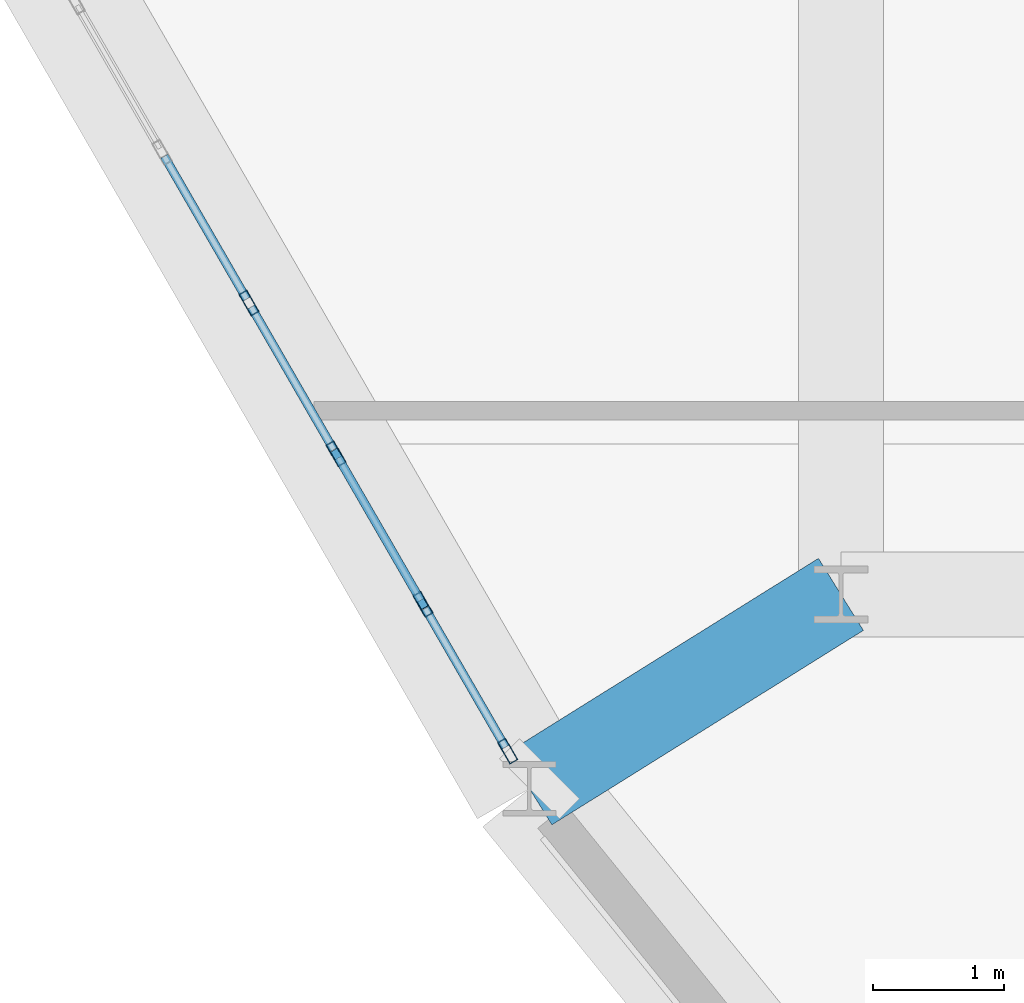
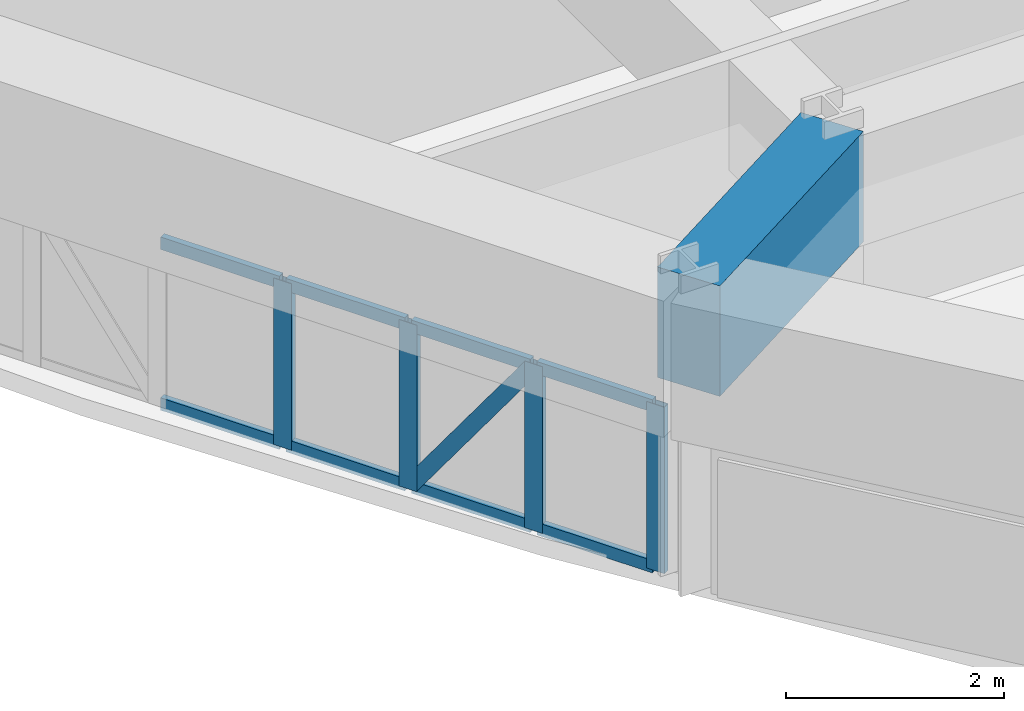
# One storey, part 2 of 14: 13 members, 1 beam, 1 element without a shape of its own.
"""IFC4 building model written with IfcOpenShell, lengths in metres."""

from ifc_helpers import new_model, si_unit, derived_unit, direction, frame, origin, origin_2d, place, context, subcontext, project, spatial, rectangle, hollow_rectangle, extrude, source, transform, mapped, material, layer, layer_set, material_profile, profile_set, type_object, element, aggregate, save


model = new_model("IFC4")

# Units and contexts
model_context = context("Model", 3, precision=1e-05, world=origin(), true_north=direction((0.0, 1.0)))
body_context = subcontext(model_context, "Body", "Model", "MODEL_VIEW")
ifc_project = project(units=[si_unit("LENGTHUNIT", "METRE"), si_unit("AREAUNIT", "SQUARE_METRE"), si_unit("VOLUMEUNIT", "CUBIC_METRE"), si_unit("PLANEANGLEUNIT", "RADIAN"), si_unit("MASSUNIT", "GRAM", prefix="KILO"), derived_unit("THERMALTRANSMITTANCEUNIT", [(si_unit("POWERUNIT", "WATT"), 1), (si_unit("LENGTHUNIT", "METRE"), -2), (si_unit("THERMODYNAMICTEMPERATUREUNIT", "KELVIN"), -1)])], contexts=[model_context])

# Site, building, storey
site_placement = place(None, origin())
site = spatial("IfcSite", under=ifc_project, at=site_placement, CompositionType="ELEMENT")
building_placement = place(site_placement, origin())
building = spatial("IfcBuilding", under=site, at=building_placement, Name="Korsvarv Bourse and Concert Hall", CompositionType="ELEMENT")
storey_placement = place(building_placement, frame((0.0, 0.0, 186.60009765625)))
storey = spatial("IfcBuildingStorey", under=building, at=storey_placement, Name="L48", CompositionType="ELEMENT", Elevation=186.60009765625)

# Beam
ifc_material_1 = material(Name="Concrete C50/60", Category="concrete")
ifc_material_profile_1 = material_profile(ifc_material_1, rectangle(XDim=0.64990234375, YDim=1.239990234375, at=origin_2d()), Name="RC-BM 650x1240")
ifc_profile_set_1 = profile_set([ifc_material_profile_1], Name="Concrete C50/60")
beam_type = type_object("IfcBeamType", Name="BM-TR-SPN", PredefinedType="BEAM", material=ifc_profile_set_1)
shared_shape_1 = source(origin(), body_context, "Body", "SweptSolid", [
    extrude(rectangle(XDim=0.64990234375, YDim=1.239990234375, at=origin_2d()), origin(), (0.0, 0.0, 1.0), 2.8095703125),
])
beam_placement = place(storey_placement, frame((25.216796875, 22.51220703125, 2.77978515625), z_axis=(0.848281328121, 0.529545832163, 0.0), x_axis=(-0.529545832163, 0.848281328121, 0.0)))
element("IfcBeam", 1, at=beam_placement, inside=storey, type_object=beam_type, Name="L48 beam B-TRS", PredefinedType="BEAM", context=body_context, shape_type="MappedRepresentation", body=[
    mapped(shared_shape_1, transform((0.0, 0.0, 0.0), scale=1.0)),
])

# Curtain wall, members
ifc_material_2 = material(Name="Anodised aluminium and triple low-E glazing", Category="glass")
ifc_layer = layer(ifc_material_2, 0.199951171875)
ifc_layer_set = layer_set([ifc_layer], Name="Anodised aluminium and triple low-E glazing")
curtain_wall_type = type_object("IfcCurtainWallType", Name="CW-SYS-3", PredefinedType="NOTDEFINED", material=ifc_layer_set)
curtain_wall_placement = place(storey_placement, origin())
curtain_wall = element("IfcCurtainWall", 2, at=curtain_wall_placement, inside=storey, type_object=curtain_wall_type, Name="L48 CW3 curtain wall CW-L48-F07", PredefinedType="NOTDEFINED")
ifc_material_3 = material(Name="Extruded aluminium EN AW-6063 T66", Category="aluminium")
ifc_material_profile_2 = material_profile(ifc_material_3, hollow_rectangle(XDim=0.070068359375, YDim=0.18994140625, WallThickness=0.0048828125, at=origin_2d()), Name="ALU-M 70x190")
ifc_profile_set_2 = profile_set([ifc_material_profile_2], Name="Extruded aluminium EN AW-6063 T66")
member_type_1 = type_object("IfcMemberType", Name="CWM-190", PredefinedType="MULLION", material=ifc_profile_set_2)
shared_shape_2 = source(origin(), body_context, "Body", "SweptSolid", [
    extrude(hollow_rectangle(XDim=0.070068359375, YDim=0.18994140625, WallThickness=0.0048828125, at=origin_2d()), origin(), (0.0, 0.0, 1.0), 1.869873046875),
])
member_1_placement = place(storey_placement, frame((23.07080078125, 26.229248046875, 0.0), z_axis=(0.0, 0.0, 1.0), x_axis=(0.866028825281, 0.499994073747, 0.0)))
member_1 = element("IfcMember", 3, at=member_1_placement, type_object=member_type_1, Name="CW3 mullion 7", PredefinedType="MULLION", context=body_context, shape_type="MappedRepresentation", body=[
    mapped(shared_shape_2, transform((0.0, 0.0, 0.0), scale=1.0)),
])
member_2_placement = place(storey_placement, frame((23.736572265625, 25.076171875, 0.0), z_axis=(0.0, 0.0, 1.0), x_axis=(0.866028825281, 0.499994073747, 0.0)))
member_2 = element("IfcMember", 4, at=member_2_placement, type_object=member_type_1, Name="CW3 mullion 8", PredefinedType="MULLION", context=body_context, shape_type="MappedRepresentation", body=[
    mapped(shared_shape_2, transform((0.0, 0.0, 0.0), scale=1.0)),
])
member_3_placement = place(storey_placement, frame((24.402099609375, 23.923095703125, 0.0), z_axis=(0.0, 0.0, 1.0), x_axis=(0.866028825281, 0.499994073747, 0.0)))
member_3 = element("IfcMember", 5, at=member_3_placement, type_object=member_type_1, Name="CW3 mullion 9", PredefinedType="MULLION", context=body_context, shape_type="MappedRepresentation", body=[
    mapped(shared_shape_2, transform((0.0, 0.0, 0.0), scale=1.0)),
])
member_4_placement = place(storey_placement, frame((25.05029296875, 22.80029296875, 0.0), z_axis=(0.0, 0.0, 1.0), x_axis=(0.866028825281, 0.499994073747, 0.0)))
member_4 = element("IfcMember", 6, at=member_4_placement, type_object=member_type_1, Name="CW3 mullion 10", PredefinedType="MULLION", context=body_context, shape_type="MappedRepresentation", body=[
    mapped(shared_shape_2, transform((0.0, 0.0, 0.0), scale=1.0)),
])
ifc_material_profile_3 = material_profile(ifc_material_3, hollow_rectangle(XDim=0.06494140625, YDim=0.139892578125, WallThickness=0.00390625, at=origin_2d()), Name="ALU-T 65x140")
ifc_profile_set_3 = profile_set([ifc_material_profile_3], Name="Extruded aluminium EN AW-6063 T66")
member_type_2 = type_object("IfcMemberType", Name="CWT-140", PredefinedType="USERDEFINED", material=ifc_profile_set_3)
shared_shape_3 = source(origin(), body_context, "Body", "SweptSolid", [
    extrude(hollow_rectangle(XDim=0.06494140625, YDim=0.139892578125, WallThickness=0.00390625, at=origin_2d()), origin(), (0.0, 0.0, 1.0), 1.261474609375),
])
member_5_placement = place(storey_placement, frame((22.422607421875, 27.35205078125, 0.032470703125), z_axis=(0.499906742921, -0.86607923909, 0.0), x_axis=(0.86607923909, 0.499906742921, 0.0)))
member_5 = element("IfcMember", 7, at=member_5_placement, type_object=member_type_2, Name="CW3 transom 6.1", ObjectType="TRANSOM", PredefinedType="USERDEFINED", context=body_context, shape_type="MappedRepresentation", body=[
    mapped(shared_shape_3, transform((0.0, 0.0, 0.0), scale=1.0)),
])
member_6_placement = place(storey_placement, frame((22.422607421875, 27.35205078125, 1.83740234375), z_axis=(0.499906742921, -0.86607923909, 0.0), x_axis=(0.86607923909, 0.499906742921, 0.0)))
member_6 = element("IfcMember", 8, at=member_6_placement, type_object=member_type_2, Name="CW3 transom 6.2", ObjectType="TRANSOM", PredefinedType="USERDEFINED", context=body_context, shape_type="MappedRepresentation", body=[
    mapped(shared_shape_3, transform((0.0, 0.0, 0.0), scale=1.0)),
])
member_7_placement = place(storey_placement, frame((23.08837890625, 26.198974609375, 0.032470703125), z_axis=(0.499906742921, -0.86607923909, 0.0), x_axis=(0.86607923909, 0.499906742921, 0.0)))
member_7 = element("IfcMember", 9, at=member_7_placement, type_object=member_type_2, Name="CW3 transom 7.1", ObjectType="TRANSOM", PredefinedType="USERDEFINED", context=body_context, shape_type="MappedRepresentation", body=[
    mapped(shared_shape_3, transform((0.0, 0.0, 0.0), scale=1.0)),
])
member_8_placement = place(storey_placement, frame((23.08837890625, 26.198974609375, 1.83740234375), z_axis=(0.499906742921, -0.86607923909, 0.0), x_axis=(0.86607923909, 0.499906742921, 0.0)))
member_8 = element("IfcMember", 10, at=member_8_placement, type_object=member_type_2, Name="CW3 transom 7.2", ObjectType="TRANSOM", PredefinedType="USERDEFINED", context=body_context, shape_type="MappedRepresentation", body=[
    mapped(shared_shape_3, transform((0.0, 0.0, 0.0), scale=1.0)),
])
member_9_placement = place(storey_placement, frame((23.75390625, 25.0458984375, 0.032470703125), z_axis=(0.500051892845, -0.865995441363, 0.0), x_axis=(0.865995441363, 0.500051892845, 0.0)))
member_9 = element("IfcMember", 11, at=member_9_placement, type_object=member_type_2, Name="CW3 transom 8.1", ObjectType="TRANSOM", PredefinedType="USERDEFINED", context=body_context, shape_type="MappedRepresentation", body=[
    mapped(shared_shape_3, transform((0.0, 0.0, 0.0), scale=1.0)),
])
member_10_placement = place(storey_placement, frame((23.75390625, 25.0458984375, 1.83740234375), z_axis=(0.500051892845, -0.865995441363, 0.0), x_axis=(0.865995441363, 0.500051892845, 0.0)))
member_10 = element("IfcMember", 12, at=member_10_placement, type_object=member_type_2, Name="CW3 transom 8.2", ObjectType="TRANSOM", PredefinedType="USERDEFINED", context=body_context, shape_type="MappedRepresentation", body=[
    mapped(shared_shape_3, transform((0.0, 0.0, 0.0), scale=1.0)),
])
ifc_material_profile_4 = material_profile(ifc_material_3, hollow_rectangle(XDim=0.06494140625, YDim=0.1650390625, WallThickness=0.0048828125, at=origin_2d()), Name="ALU-M 65x165")
ifc_profile_set_4 = profile_set([ifc_material_profile_4], Name="Extruded aluminium EN AW-6063 T66")
member_type_3 = type_object("IfcMemberType", Name="CWM-165", PredefinedType="MULLION", material=ifc_profile_set_4)
shared_shape_4 = source(origin(), body_context, "Body", "SweptSolid", [
    extrude(hollow_rectangle(XDim=0.06494140625, YDim=0.1650390625, WallThickness=0.0048828125, at=origin_2d()), origin(), (0.0, 0.0, 1.0), 2.149169921875),
])
member_11_placement = place(storey_placement, frame((23.75390625, 25.0458984375, 0.06494140625), z_axis=(0.293528717011, -0.508336303648, 0.809589460581), x_axis=(0.865995441363, 0.500051892845, 0.0)))
member_11 = element("IfcMember", 13, at=member_11_placement, type_object=member_type_3, Name="CW3 diagonal mullion 8", PredefinedType="MULLION", context=body_context, shape_type="MappedRepresentation", body=[
    mapped(shared_shape_4, transform((0.0, 0.0, 0.0), scale=1.0)),
])
shared_shape_5 = source(origin(), body_context, "Body", "SweptSolid", [
    extrude(hollow_rectangle(XDim=0.06494140625, YDim=0.139892578125, WallThickness=0.00390625, at=origin_2d()), origin(), (0.0, 0.0, 1.0), 1.226318359375),
])
member_12_placement = place(storey_placement, frame((24.419677734375, 23.892822265625, 0.032470703125), z_axis=(0.500078582497, -0.865980029404, 0.0), x_axis=(0.865980029404, 0.500078582497, 0.0)))
member_12 = element("IfcMember", 14, at=member_12_placement, type_object=member_type_2, Name="CW3 transom 9.1", ObjectType="TRANSOM", PredefinedType="USERDEFINED", context=body_context, shape_type="MappedRepresentation", body=[
    mapped(shared_shape_5, transform((0.0, 0.0, 0.0), scale=1.0)),
])
member_13_placement = place(storey_placement, frame((24.419677734375, 23.892822265625, 1.83740234375), z_axis=(0.500078582497, -0.865980029404, 0.0), x_axis=(0.865980029404, 0.500078582497, 0.0)))
member_13 = element("IfcMember", 15, at=member_13_placement, type_object=member_type_2, Name="CW3 transom 9.2", ObjectType="TRANSOM", PredefinedType="USERDEFINED", context=body_context, shape_type="MappedRepresentation", body=[
    mapped(shared_shape_5, transform((0.0, 0.0, 0.0), scale=1.0)),
])
aggregate(curtain_wall, [member_1, member_2, member_3, member_4, member_5, member_6, member_7, member_8, member_9, member_10, member_11, member_12, member_13])

save(model, "model.ifc")
